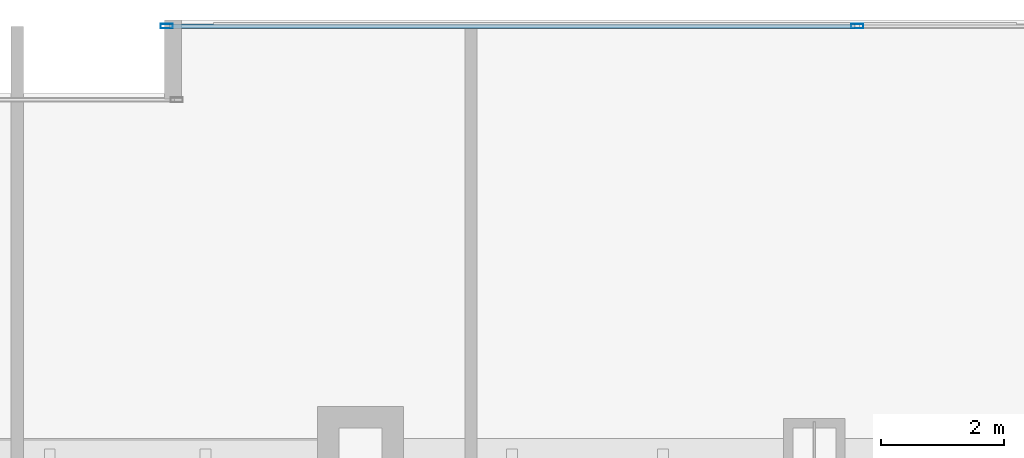
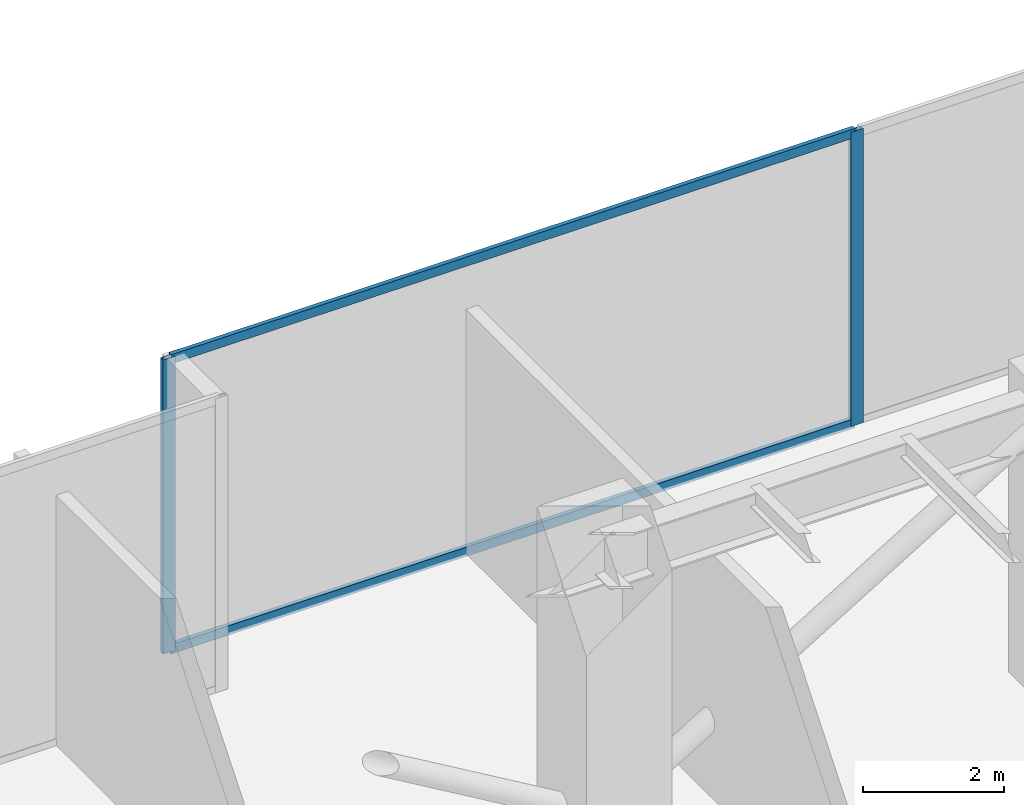
# One storey, part 22 of 38: 4 members, 1 element without a shape of its own.
"""IFC4 building model written with IfcOpenShell, lengths in metres."""

from ifc_helpers import new_model, si_unit, direction, frame, origin, origin_2d, place, context, subcontext, project, spatial, hollow_rectangle, extrude, source, transform, mapped, material, layer, layer_set, material_profile, profile_set, type_object, type_shapes, element, aggregate, save


model = new_model("IFC4")

# Units and contexts
model_context = context("Model", 3, precision=1e-05, world=origin(), true_north=direction((0.0, 1.0)))
body_context = subcontext(model_context, "Body", "Model", "MODEL_VIEW")
ifc_project = project(units=[si_unit("LENGTHUNIT", "METRE"), si_unit("AREAUNIT", "SQUARE_METRE"), si_unit("VOLUMEUNIT", "CUBIC_METRE"), si_unit("PLANEANGLEUNIT", "RADIAN"), si_unit("MASSUNIT", "GRAM", prefix="KILO")], contexts=[model_context])

# Site, building, storey
site_placement = place(None, origin())
site = spatial("IfcSite", under=ifc_project, at=site_placement, CompositionType="ELEMENT")
building_placement = place(site_placement, origin())
building = spatial("IfcBuilding", under=site, at=building_placement, Name="Haelvirn Gate Laboratories", CompositionType="ELEMENT")
storey_placement = place(building_placement, frame((0.0, 0.0, 94.89990234375)))
storey = spatial("IfcBuildingStorey", under=building, at=storey_placement, Name="L23", CompositionType="ELEMENT", Elevation=94.89990234375)

# Curtain wall, members
ifc_material_1 = material(Name="Anodised bronze unitised aluminium & triple low-E glass", Category="aluminium")
ifc_layer = layer(ifc_material_1, 0.18408203125, Name="CW-SYS-2")
ifc_layer_set = layer_set([ifc_layer], Name="Anodised bronze unitised aluminium & triple low-E glass")
curtain_wall_type = type_object("IfcCurtainWallType", Name="CW-SYS-2", PredefinedType="NOTDEFINED", material=ifc_layer_set)
curtain_wall_placement = place(storey_placement, origin())
curtain_wall = element("IfcCurtainWall", 1, at=curtain_wall_placement, inside=storey, type_object=curtain_wall_type, Name="L23 Unitised Curtain Wall CW-L23-P0-E10-1", PredefinedType="NOTDEFINED")
ifc_material_2 = material(Name="Extruded aluminium 6063-T6 (anodised bronze)", Category="aluminium")
ifc_material_profile_1 = material_profile(ifc_material_2, hollow_rectangle(XDim=0.070068359375, YDim=0.159912109375, WallThickness=0.0048828125, at=origin_2d()), Name="CWT-160x70x5")
ifc_profile_set_1 = profile_set([ifc_material_profile_1], Name="Extruded aluminium 6063-T6 (anodised bronze)")
member_type_1 = type_object("IfcMemberType", Name="CWT-T160", PredefinedType="USERDEFINED", material=ifc_profile_set_1)
shared_shape_1 = source(origin(), body_context, "Body", "SweptSolid", [
    extrude(hollow_rectangle(XDim=0.070068359375, YDim=0.159912109375, WallThickness=0.0048828125, at=origin_2d()), origin(), (0.0, 0.0, 1.0), 11.1875),
])
type_shapes(member_type_1, [shared_shape_1])
member_1_placement = place(storey_placement, frame((49.47509765625, 48.5, 0.03515625), z_axis=(1.0, 0.0, 0.0), x_axis=(0.0, 1.0, 0.0)))
member_1 = element("IfcMember", 2, at=member_1_placement, type_object=member_type_1, Name="CW2 transom 1.1", ObjectType="TRANSOM", PredefinedType="USERDEFINED", context=body_context, shape_type="MappedRepresentation", body=[
    mapped(shared_shape_1, transform((0.0, 0.0, 0.0), scale=1.0)),
])
member_2_placement = place(storey_placement, frame((49.47509765625, 48.5, 5.05517578125), z_axis=(1.0, 0.0, 0.0), x_axis=(0.0, 1.0, 0.0)))
member_2 = element("IfcMember", 3, at=member_2_placement, type_object=member_type_1, Name="CW2 transom 1.2", ObjectType="TRANSOM", PredefinedType="USERDEFINED", context=body_context, shape_type="MappedRepresentation", body=[
    mapped(shared_shape_1, transform((0.0, 0.0, 0.0), scale=1.0)),
])
ifc_material_profile_2 = material_profile(ifc_material_2, hollow_rectangle(XDim=0.074951171875, YDim=0.199951171875, WallThickness=0.0048828125, at=origin_2d()), Name="CWM-200x75x5")
ifc_profile_set_2 = profile_set([ifc_material_profile_2], Name="Extruded aluminium 6063-T6 (anodised bronze)")
member_type_2 = type_object("IfcMemberType", Name="CWM-T200", PredefinedType="MULLION", material=ifc_profile_set_2)
shared_shape_2 = source(origin(), body_context, "Body", "SweptSolid", [
    extrude(hollow_rectangle(XDim=0.074951171875, YDim=0.199951171875, WallThickness=0.0048828125, at=origin_2d()), origin(), (0.0, 0.0, 1.0), 5.090087890625),
])
type_shapes(member_type_2, [shared_shape_2])
member_3_placement = place(storey_placement, frame((49.4375, 48.5, 0.0), z_axis=(0.0, 0.0, 1.0), x_axis=(0.0, 1.0, 0.0)))
member_3 = element("IfcMember", 4, at=member_3_placement, type_object=member_type_2, Name="CW2 mullion 1", PredefinedType="MULLION", context=body_context, shape_type="MappedRepresentation", body=[
    mapped(shared_shape_2, transform((0.0, 0.0, 0.0), scale=1.0)),
])
member_4_placement = place(storey_placement, frame((60.699951171875, 48.5, 0.0), z_axis=(0.0, 0.0, 1.0), x_axis=(0.0, 1.0, 0.0)))
member_4 = element("IfcMember", 5, at=member_4_placement, type_object=member_type_2, Name="CW2 mullion 2", PredefinedType="MULLION", context=body_context, shape_type="MappedRepresentation", body=[
    mapped(shared_shape_2, transform((0.0, 0.0, 0.0), scale=1.0)),
])
aggregate(curtain_wall, [member_3, member_4, member_1, member_2])

save(model, "model.ifc")
